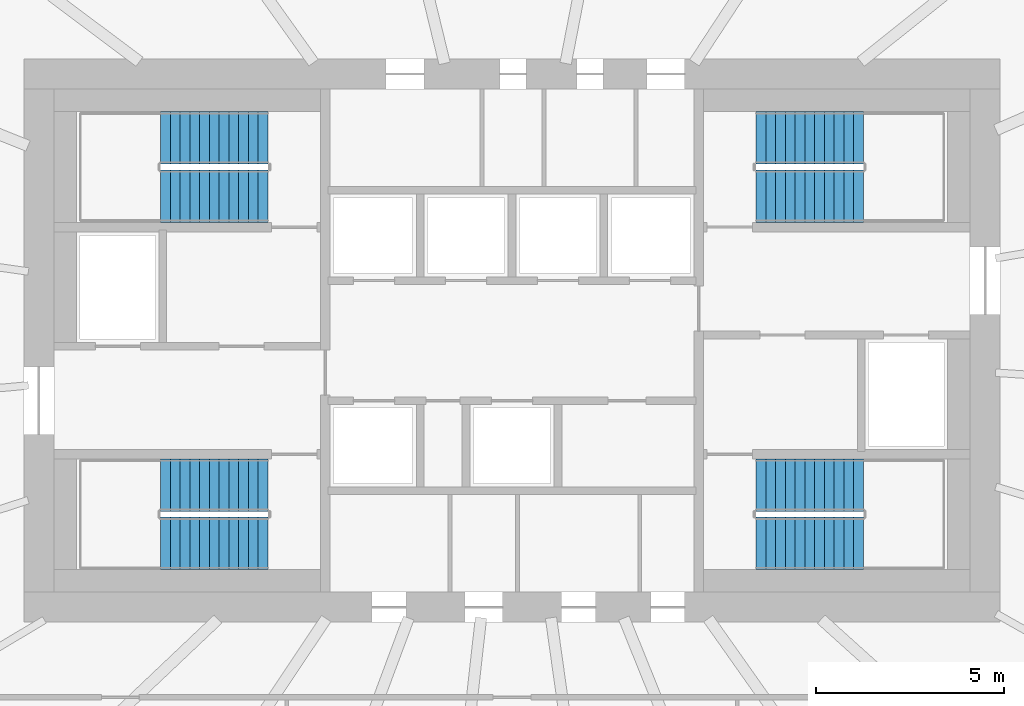
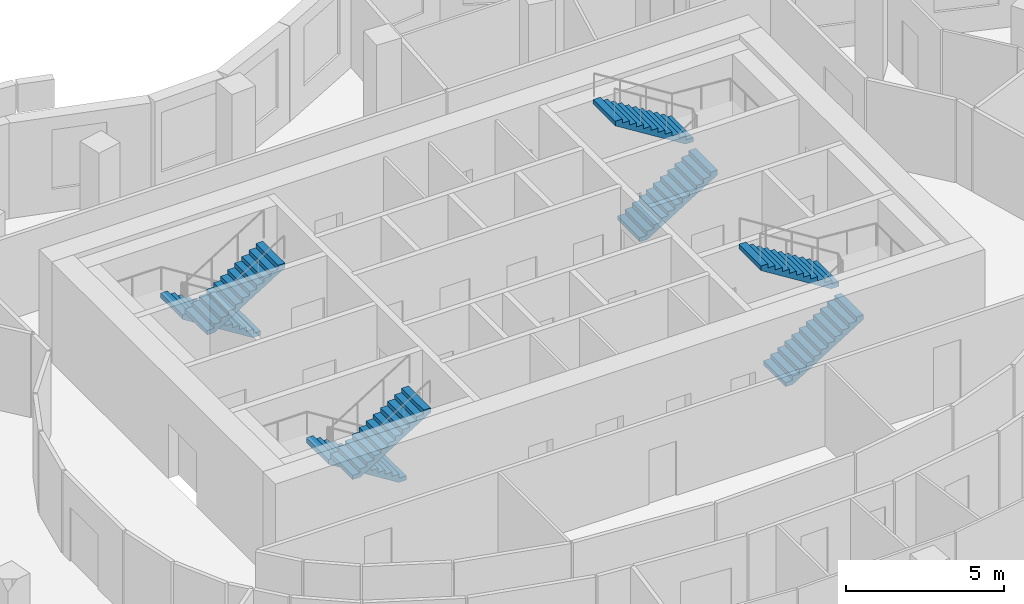
# One storey, part 9 of 10: 8 stair flights, 4 elements without a shape of their own.
"""IFC4 building model written with IfcOpenShell, lengths in metres."""

from ifc_helpers import new_model, si_unit, direction, frame, origin, place, context, subcontext, project, spatial, polyline, outline, extrude, material, type_object, element, aggregate, save


model = new_model("IFC4")

# Units and contexts
model_context = context("Model", 3, precision=1e-05, world=origin(), true_north=direction((0.0, 1.0)))
body_context = subcontext(model_context, "Body", "Model", "MODEL_VIEW")
ifc_project = project(units=[si_unit("LENGTHUNIT", "METRE"), si_unit("AREAUNIT", "SQUARE_METRE"), si_unit("VOLUMEUNIT", "CUBIC_METRE"), si_unit("PLANEANGLEUNIT", "RADIAN"), si_unit("MASSUNIT", "GRAM", prefix="KILO")], contexts=[model_context])

# Site, building, storey
site_placement = place(None, origin())
site = spatial("IfcSite", under=ifc_project, at=site_placement, CompositionType="ELEMENT")
building_placement = place(site_placement, origin())
building = spatial("IfcBuilding", under=site, at=building_placement, Name="Rubra Terraces Tower", CompositionType="ELEMENT")
storey_placement = place(building_placement, frame((0.0, 0.0, 292.199951171875)))
storey = spatial("IfcBuildingStorey", under=building, at=storey_placement, Name="L72", CompositionType="ELEMENT", Elevation=292.199951171875)

# Stair, stair flights
ifc_material = material(Name="Concrete C40", Category="concrete")
stair_type = type_object("IfcStairType", Name="Core stair 1400", PredefinedType="HALF_TURN_STAIR", material=ifc_material)
stair_1_placement = place(storey_placement, origin())
stair_1 = element("IfcStair", 1, at=stair_1_placement, inside=storey, type_object=stair_type, Name="L72 Exit stair S1", PredefinedType="HALF_TURN_STAIR")
stair_flight_type = type_object("IfcStairFlightType", Name="Core stair flight 1400", PredefinedType="STRAIGHT", material=ifc_material)
stair_flight_1_placement = place(storey_placement, frame((-6.5, 0.64990234375, 0.0), z_axis=(0.0, 0.0, 1.0), x_axis=(-1.0, 0.0, 0.0)))
stair_flight_1 = element("IfcStairFlight", 2, at=stair_flight_1_placement, type_object=stair_flight_type, Name="S1 flight 1", NumberOfRisers=12, NumberOfTreads=11, PredefinedType="STRAIGHT", RiserHeight=0.1625, TreadLength=0.26, context=body_context, shape_type="SweptSolid", body=[
    extrude(outline(polyline([(0.0, 0.0), (0.0, 0.16259765625), (0.260009765625, 0.16259765625), (0.260009765625, 0.324951171875), (0.52001953125, 0.324951171875), (0.52001953125, 0.487548828125), (0.780029296875, 0.487548828125), (0.780029296875, 0.64990234375), (1.0400390625, 0.64990234375), (1.0400390625, 0.8125), (1.300048828125, 0.8125), (1.300048828125, 0.97509765625), (1.56005859375, 0.97509765625), (1.56005859375, 1.137451171875), (1.820068359375, 1.137451171875), (1.820068359375, 1.300048828125), (2.080078125, 1.300048828125), (2.080078125, 1.46240234375), (2.340087890625, 1.46240234375), (2.340087890625, 1.625), (2.60009765625, 1.625), (2.60009765625, 1.78759765625), (2.860107421875, 1.78759765625), (2.860107421875, 1.949951171875), (2.860107421875, 1.61083984375), (0.28271484375, 0.0), (0.0, 0.0)])), frame((0.0, 0.699951171875, 0.0), z_axis=(0.0, -1.0, 0.0), x_axis=(1.0, 0.0, 0.0)), (0.0, 0.0, 1.0), 1.39990234375),
])
stair_flight_2_placement = place(storey_placement, frame((-9.360107421875, -0.89990234375, 1.949951171875), z_axis=(0.0, 0.0, 1.0), x_axis=(1.0, 0.0, 0.0)))
stair_flight_2 = element("IfcStairFlight", 3, at=stair_flight_2_placement, type_object=stair_flight_type, Name="S1 flight 2", NumberOfRisers=12, NumberOfTreads=11, PredefinedType="STRAIGHT", RiserHeight=0.1625, TreadLength=0.26, context=body_context, shape_type="SweptSolid", body=[
    extrude(outline(polyline([(0.0, 0.0), (0.0, 0.16259765625), (0.260009765625, 0.16259765625), (0.260009765625, 0.324951171875), (0.52001953125, 0.324951171875), (0.52001953125, 0.487548828125), (0.780029296875, 0.487548828125), (0.780029296875, 0.64990234375), (1.0400390625, 0.64990234375), (1.0400390625, 0.8125), (1.300048828125, 0.8125), (1.300048828125, 0.97509765625), (1.56005859375, 0.97509765625), (1.56005859375, 1.137451171875), (1.820068359375, 1.137451171875), (1.820068359375, 1.300048828125), (2.080078125, 1.300048828125), (2.080078125, 1.46240234375), (2.340087890625, 1.46240234375), (2.340087890625, 1.625), (2.60009765625, 1.625), (2.60009765625, 1.78759765625), (2.860107421875, 1.78759765625), (2.860107421875, 1.949951171875), (2.860107421875, 1.61083984375), (0.28271484375, 0.0), (0.0, 0.0)])), frame((0.0, 0.699951171875, 0.0), z_axis=(0.0, -1.0, 0.0), x_axis=(1.0, 0.0, 0.0)), (0.0, 0.0, 1.0), 1.39990234375),
])
aggregate(stair_1, [stair_flight_1, stair_flight_2])

stair_2_placement = place(storey_placement, origin())
stair_2 = element("IfcStair", 4, at=stair_2_placement, inside=storey, type_object=stair_type, Name="L72 Exit stair S2", PredefinedType="HALF_TURN_STAIR")
stair_flight_3_placement = place(storey_placement, frame((-6.5, 9.89990234375, 0.0), z_axis=(0.0, 0.0, 1.0), x_axis=(-1.0, 0.0, 0.0)))
stair_flight_3 = element("IfcStairFlight", 5, at=stair_flight_3_placement, type_object=stair_flight_type, Name="S2 flight 1", NumberOfRisers=12, NumberOfTreads=11, PredefinedType="STRAIGHT", RiserHeight=0.1625, TreadLength=0.26, context=body_context, shape_type="SweptSolid", body=[
    extrude(outline(polyline([(0.0, 0.0), (0.0, 0.16259765625), (0.260009765625, 0.16259765625), (0.260009765625, 0.324951171875), (0.52001953125, 0.324951171875), (0.52001953125, 0.487548828125), (0.780029296875, 0.487548828125), (0.780029296875, 0.64990234375), (1.0400390625, 0.64990234375), (1.0400390625, 0.8125), (1.300048828125, 0.8125), (1.300048828125, 0.97509765625), (1.56005859375, 0.97509765625), (1.56005859375, 1.137451171875), (1.820068359375, 1.137451171875), (1.820068359375, 1.300048828125), (2.080078125, 1.300048828125), (2.080078125, 1.46240234375), (2.340087890625, 1.46240234375), (2.340087890625, 1.625), (2.60009765625, 1.625), (2.60009765625, 1.78759765625), (2.860107421875, 1.78759765625), (2.860107421875, 1.949951171875), (2.860107421875, 1.61083984375), (0.28271484375, 0.0), (0.0, 0.0)])), frame((0.0, 0.699951171875, 0.0), z_axis=(0.0, -1.0, 0.0), x_axis=(1.0, 0.0, 0.0)), (0.0, 0.0, 1.0), 1.39990234375),
])
stair_flight_4_placement = place(storey_placement, frame((-9.360107421875, 8.35009765625, 1.949951171875), z_axis=(0.0, 0.0, 1.0), x_axis=(1.0, 0.0, 0.0)))
stair_flight_4 = element("IfcStairFlight", 6, at=stair_flight_4_placement, type_object=stair_flight_type, Name="S2 flight 2", NumberOfRisers=12, NumberOfTreads=11, PredefinedType="STRAIGHT", RiserHeight=0.1625, TreadLength=0.26, context=body_context, shape_type="SweptSolid", body=[
    extrude(outline(polyline([(0.0, 0.0), (0.0, 0.16259765625), (0.260009765625, 0.16259765625), (0.260009765625, 0.324951171875), (0.52001953125, 0.324951171875), (0.52001953125, 0.487548828125), (0.780029296875, 0.487548828125), (0.780029296875, 0.64990234375), (1.0400390625, 0.64990234375), (1.0400390625, 0.8125), (1.300048828125, 0.8125), (1.300048828125, 0.97509765625), (1.56005859375, 0.97509765625), (1.56005859375, 1.137451171875), (1.820068359375, 1.137451171875), (1.820068359375, 1.300048828125), (2.080078125, 1.300048828125), (2.080078125, 1.46240234375), (2.340087890625, 1.46240234375), (2.340087890625, 1.625), (2.60009765625, 1.625), (2.60009765625, 1.78759765625), (2.860107421875, 1.78759765625), (2.860107421875, 1.949951171875), (2.860107421875, 1.61083984375), (0.28271484375, 0.0), (0.0, 0.0)])), frame((0.0, 0.699951171875, 0.0), z_axis=(0.0, -1.0, 0.0), x_axis=(1.0, 0.0, 0.0)), (0.0, 0.0, 1.0), 1.39990234375),
])
aggregate(stair_2, [stair_flight_3, stair_flight_4])

stair_3_placement = place(storey_placement, origin())
stair_3 = element("IfcStair", 7, at=stair_3_placement, inside=storey, type_object=stair_type, Name="L72 Exit stair S3", PredefinedType="HALF_TURN_STAIR")
stair_flight_5_placement = place(storey_placement, frame((6.5, 8.35009765625, 0.0), z_axis=(0.0, 0.0, 1.0), x_axis=(1.0, 0.0, 0.0)))
stair_flight_5 = element("IfcStairFlight", 8, at=stair_flight_5_placement, type_object=stair_flight_type, Name="S3 flight 1", NumberOfRisers=12, NumberOfTreads=11, PredefinedType="STRAIGHT", RiserHeight=0.1625, TreadLength=0.26, context=body_context, shape_type="SweptSolid", body=[
    extrude(outline(polyline([(0.0, 0.0), (0.0, 0.16259765625), (0.260009765625, 0.16259765625), (0.260009765625, 0.324951171875), (0.52001953125, 0.324951171875), (0.52001953125, 0.487548828125), (0.780029296875, 0.487548828125), (0.780029296875, 0.64990234375), (1.0400390625, 0.64990234375), (1.0400390625, 0.8125), (1.300048828125, 0.8125), (1.300048828125, 0.97509765625), (1.56005859375, 0.97509765625), (1.56005859375, 1.137451171875), (1.820068359375, 1.137451171875), (1.820068359375, 1.300048828125), (2.080078125, 1.300048828125), (2.080078125, 1.46240234375), (2.340087890625, 1.46240234375), (2.340087890625, 1.625), (2.60009765625, 1.625), (2.60009765625, 1.78759765625), (2.860107421875, 1.78759765625), (2.860107421875, 1.949951171875), (2.860107421875, 1.61083984375), (0.28271484375, 0.0), (0.0, 0.0)])), frame((0.0, 0.699951171875, 0.0), z_axis=(0.0, -1.0, 0.0), x_axis=(1.0, 0.0, 0.0)), (0.0, 0.0, 1.0), 1.39990234375),
])
stair_flight_6_placement = place(storey_placement, frame((9.360107421875, 9.89990234375, 1.949951171875), z_axis=(0.0, 0.0, 1.0), x_axis=(-1.0, 0.0, 0.0)))
stair_flight_6 = element("IfcStairFlight", 9, at=stair_flight_6_placement, type_object=stair_flight_type, Name="S3 flight 2", NumberOfRisers=12, NumberOfTreads=11, PredefinedType="STRAIGHT", RiserHeight=0.1625, TreadLength=0.26, context=body_context, shape_type="SweptSolid", body=[
    extrude(outline(polyline([(0.0, 0.0), (0.0, 0.16259765625), (0.260009765625, 0.16259765625), (0.260009765625, 0.324951171875), (0.52001953125, 0.324951171875), (0.52001953125, 0.487548828125), (0.780029296875, 0.487548828125), (0.780029296875, 0.64990234375), (1.0400390625, 0.64990234375), (1.0400390625, 0.8125), (1.300048828125, 0.8125), (1.300048828125, 0.97509765625), (1.56005859375, 0.97509765625), (1.56005859375, 1.137451171875), (1.820068359375, 1.137451171875), (1.820068359375, 1.300048828125), (2.080078125, 1.300048828125), (2.080078125, 1.46240234375), (2.340087890625, 1.46240234375), (2.340087890625, 1.625), (2.60009765625, 1.625), (2.60009765625, 1.78759765625), (2.860107421875, 1.78759765625), (2.860107421875, 1.949951171875), (2.860107421875, 1.61083984375), (0.28271484375, 0.0), (0.0, 0.0)])), frame((0.0, 0.699951171875, 0.0), z_axis=(0.0, -1.0, 0.0), x_axis=(1.0, 0.0, 0.0)), (0.0, 0.0, 1.0), 1.39990234375),
])
aggregate(stair_3, [stair_flight_5, stair_flight_6])

stair_4_placement = place(storey_placement, origin())
stair_4 = element("IfcStair", 10, at=stair_4_placement, inside=storey, type_object=stair_type, Name="L72 Exit stair S4", PredefinedType="HALF_TURN_STAIR")
stair_flight_7_placement = place(storey_placement, frame((6.5, -0.89990234375, 0.0), z_axis=(0.0, 0.0, 1.0), x_axis=(1.0, 0.0, 0.0)))
stair_flight_7 = element("IfcStairFlight", 11, at=stair_flight_7_placement, type_object=stair_flight_type, Name="S4 flight 1", NumberOfRisers=12, NumberOfTreads=11, PredefinedType="STRAIGHT", RiserHeight=0.1625, TreadLength=0.26, context=body_context, shape_type="SweptSolid", body=[
    extrude(outline(polyline([(0.0, 0.0), (0.0, 0.16259765625), (0.260009765625, 0.16259765625), (0.260009765625, 0.324951171875), (0.52001953125, 0.324951171875), (0.52001953125, 0.487548828125), (0.780029296875, 0.487548828125), (0.780029296875, 0.64990234375), (1.0400390625, 0.64990234375), (1.0400390625, 0.8125), (1.300048828125, 0.8125), (1.300048828125, 0.97509765625), (1.56005859375, 0.97509765625), (1.56005859375, 1.137451171875), (1.820068359375, 1.137451171875), (1.820068359375, 1.300048828125), (2.080078125, 1.300048828125), (2.080078125, 1.46240234375), (2.340087890625, 1.46240234375), (2.340087890625, 1.625), (2.60009765625, 1.625), (2.60009765625, 1.78759765625), (2.860107421875, 1.78759765625), (2.860107421875, 1.949951171875), (2.860107421875, 1.61083984375), (0.28271484375, 0.0), (0.0, 0.0)])), frame((0.0, 0.699951171875, 0.0), z_axis=(0.0, -1.0, 0.0), x_axis=(1.0, 0.0, 0.0)), (0.0, 0.0, 1.0), 1.39990234375),
])
stair_flight_8_placement = place(storey_placement, frame((9.360107421875, 0.64990234375, 1.949951171875), z_axis=(0.0, 0.0, 1.0), x_axis=(-1.0, 0.0, 0.0)))
stair_flight_8 = element("IfcStairFlight", 12, at=stair_flight_8_placement, type_object=stair_flight_type, Name="S4 flight 2", NumberOfRisers=12, NumberOfTreads=11, PredefinedType="STRAIGHT", RiserHeight=0.1625, TreadLength=0.26, context=body_context, shape_type="SweptSolid", body=[
    extrude(outline(polyline([(0.0, 0.0), (0.0, 0.16259765625), (0.260009765625, 0.16259765625), (0.260009765625, 0.324951171875), (0.52001953125, 0.324951171875), (0.52001953125, 0.487548828125), (0.780029296875, 0.487548828125), (0.780029296875, 0.64990234375), (1.0400390625, 0.64990234375), (1.0400390625, 0.8125), (1.300048828125, 0.8125), (1.300048828125, 0.97509765625), (1.56005859375, 0.97509765625), (1.56005859375, 1.137451171875), (1.820068359375, 1.137451171875), (1.820068359375, 1.300048828125), (2.080078125, 1.300048828125), (2.080078125, 1.46240234375), (2.340087890625, 1.46240234375), (2.340087890625, 1.625), (2.60009765625, 1.625), (2.60009765625, 1.78759765625), (2.860107421875, 1.78759765625), (2.860107421875, 1.949951171875), (2.860107421875, 1.61083984375), (0.28271484375, 0.0), (0.0, 0.0)])), frame((0.0, 0.699951171875, 0.0), z_axis=(0.0, -1.0, 0.0), x_axis=(1.0, 0.0, 0.0)), (0.0, 0.0, 1.0), 1.39990234375),
])
aggregate(stair_4, [stair_flight_7, stair_flight_8])

save(model, "model.ifc")
